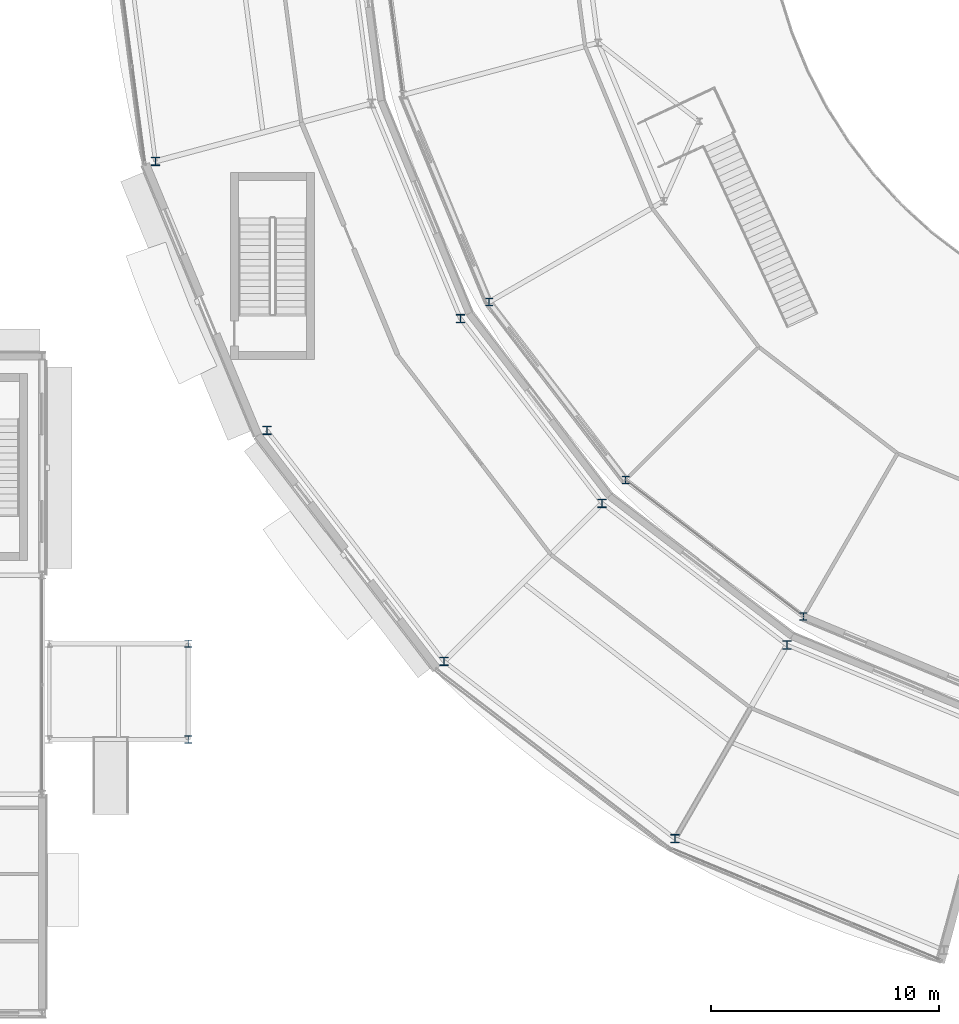
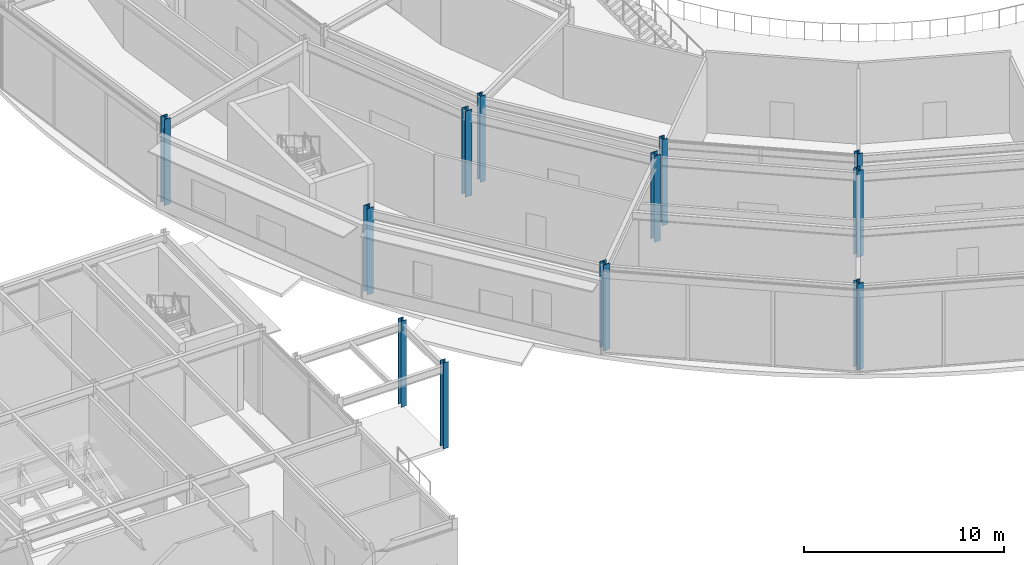
# One storey, part 3 of 168: 12 columns.
"""IFC4 building model written with IfcOpenShell, lengths in metres."""

from ifc_helpers import new_model, si_unit, direction, frame, origin, origin_2d, place, context, subcontext, project, spatial, i_section, extrude, material, material_profile, profile_set, type_object, element, save


model = new_model("IFC4")

# Units and contexts
model_context = context("Model", 3, precision=1e-05, world=origin(), true_north=direction((0.0, 1.0)))
body_context = subcontext(model_context, "Body", "Model", "MODEL_VIEW")
ifc_project = project(units=[si_unit("LENGTHUNIT", "METRE"), si_unit("AREAUNIT", "SQUARE_METRE"), si_unit("VOLUMEUNIT", "CUBIC_METRE"), si_unit("PLANEANGLEUNIT", "RADIAN"), si_unit("MASSUNIT", "GRAM", prefix="KILO")], contexts=[model_context])

# Site, building, storey
site_placement = place(None, origin())
site = spatial("IfcSite", under=ifc_project, at=site_placement, CompositionType="ELEMENT")
building_placement = place(site_placement, origin())
building = spatial("IfcBuilding", under=site, at=building_placement, Name="Almandine Court Research Institute", CompositionType="ELEMENT")
storey_placement = place(building_placement, origin())
storey = spatial("IfcBuildingStorey", under=building, at=storey_placement, Name="L00", CompositionType="ELEMENT", Elevation=0.0)

# Columns
ifc_material = material(Name="Steel ASTM A992 Grade 50", Category="steel")
ifc_material_profile_1 = material_profile(ifc_material, i_section(OverallWidth=0.373046875, OverallDepth=0.367919921875, WebThickness=0.01708984375, FlangeThickness=0.027099609375, at=origin_2d()), Name="W360x179")
ifc_profile_set_1 = profile_set([ifc_material_profile_1], Name="Steel ASTM A992 Grade 50")
column_type_1 = type_object("IfcColumnType", Name="Col-C-W03-E", PredefinedType="COLUMN", material=ifc_profile_set_1)
for number, where, z_axis, x_axis, name in (
    (1, (39.76611328125, 43.343994140625, 0.0), (0.0, 0.0, 1.0), (1.0, 0.0, 0.0), "L00 V5 Column V5-OUT-S13"),
    (2, (53.137939453125, 36.449951171875, 0.0), (0.0, 0.0, 1.0), (1.0, 0.0, 0.0), "L00 V5 Column V5-IN-S14"),
    (3, (44.65087890625, 31.550048828125, 0.0), (0.0, 0.0, 1.0), (1.0, 0.0, 0.0), "L00 V5 Column V5-OUT-S14"),
    (4, (59.35205078125, 28.35205078125, 0.0), (0.0, 0.0, 1.0), (1.0, 0.0, 0.0), "L00 V5 Column V5-IN-S15"),
    (5, (52.422119140625, 21.422119140625, 0.0), (0.0, 0.0, 1.0), (1.0, 0.0, 0.0), "L00 V5 Column V5-OUT-S15"),
    (6, (67.449951171875, 22.137939453125, 0.0), (0.0, 0.0, 1.0), (1.0, 0.0, 0.0), "L00 V5 Column V5-IN-S16"),
    (7, (62.550048828125, 13.65087890625, 0.0), (0.0, 0.0, 1.0), (1.0, 0.0, 0.0), "L00 V5 Column V5-OUT-S16"),
):
    element("IfcColumn", number, at=place(storey_placement, frame(where, z_axis=z_axis, x_axis=x_axis)), inside=storey, type_object=column_type_1, Name=name, PredefinedType="COLUMN", context=body_context, shape_type="SweptSolid", body=[
        extrude(i_section(OverallWidth=0.373046875, OverallDepth=0.367919921875, WebThickness=0.01708984375, FlangeThickness=0.027099609375, at=origin_2d()), origin(), (0.0, 0.0, 1.0), 5.25),
    ])
ifc_material_profile_2 = material_profile(ifc_material, i_section(OverallWidth=0.31005859375, OverallDepth=0.326904296875, WebThickness=0.01611328125, FlangeThickness=0.02490234375, at=origin_2d()), Name="W310x158")
ifc_profile_set_2 = profile_set([ifc_material_profile_2], Name="Steel ASTM A992 Grade 50")
column_type_2 = type_object("IfcColumnType", Name="Col-C-W06", PredefinedType="COLUMN", material=ifc_profile_set_2)
for number, where, z_axis, x_axis, name in (
    (8, (54.39404296875, 37.175048828125, 0.0), (0.0, 0.0, 1.0), (1.0, 0.0, 0.0), "L00 V2 Column V2-OUT-S14"),
    (9, (60.376953125, 29.376953125, 0.0), (0.0, 0.0, 1.0), (1.0, 0.0, 0.0), "L00 V2 Column V2-OUT-S15"),
    (10, (68.175048828125, 23.39404296875, 0.0), (0.0, 0.0, 1.0), (1.0, 0.0, 0.0), "L00 V2 Column V2-OUT-S16"),
):
    element("IfcColumn", number, at=place(storey_placement, frame(where, z_axis=z_axis, x_axis=x_axis)), inside=storey, type_object=column_type_2, Name=name, PredefinedType="COLUMN", context=body_context, shape_type="SweptSolid", body=[
        extrude(i_section(OverallWidth=0.31005859375, OverallDepth=0.326904296875, WebThickness=0.01611328125, FlangeThickness=0.02490234375, at=origin_2d()), origin(), (0.0, 0.0, 1.0), 5.25),
    ])
ifc_material_profile_3 = material_profile(ifc_material, i_section(OverallWidth=0.305908203125, OverallDepth=0.31103515625, WebThickness=0.010986328125, FlangeThickness=0.01708984375, at=origin_2d()), Name="W310x107")
ifc_profile_set_3 = profile_set([ifc_material_profile_3], Name="Steel ASTM A992 Grade 50")
column_type_3 = type_object("IfcColumnType", Name="Col-C-W08-E", PredefinedType="COLUMN", material=ifc_profile_set_3)
for number, where, z_axis, x_axis, name in (
    (11, (41.199951171875, 18.0, 0.0), (0.0, 0.0, 1.0), (1.0, 0.0, 0.0), "L00 DAL-SW Column DAL-SW-X2Y1"),
    (12, (41.199951171875, 22.199951171875, 0.0), (0.0, 0.0, 1.0), (1.0, 0.0, 0.0), "L00 DAL-SW Column DAL-SW-X2Y2"),
):
    element("IfcColumn", number, at=place(storey_placement, frame(where, z_axis=z_axis, x_axis=x_axis)), inside=storey, type_object=column_type_3, Name=name, PredefinedType="COLUMN", context=body_context, shape_type="SweptSolid", body=[
        extrude(i_section(OverallWidth=0.305908203125, OverallDepth=0.31103515625, WebThickness=0.010986328125, FlangeThickness=0.01708984375, at=origin_2d()), origin(), (0.0, 0.0, 1.0), 5.25),
    ])

save(model, "model.ifc")
